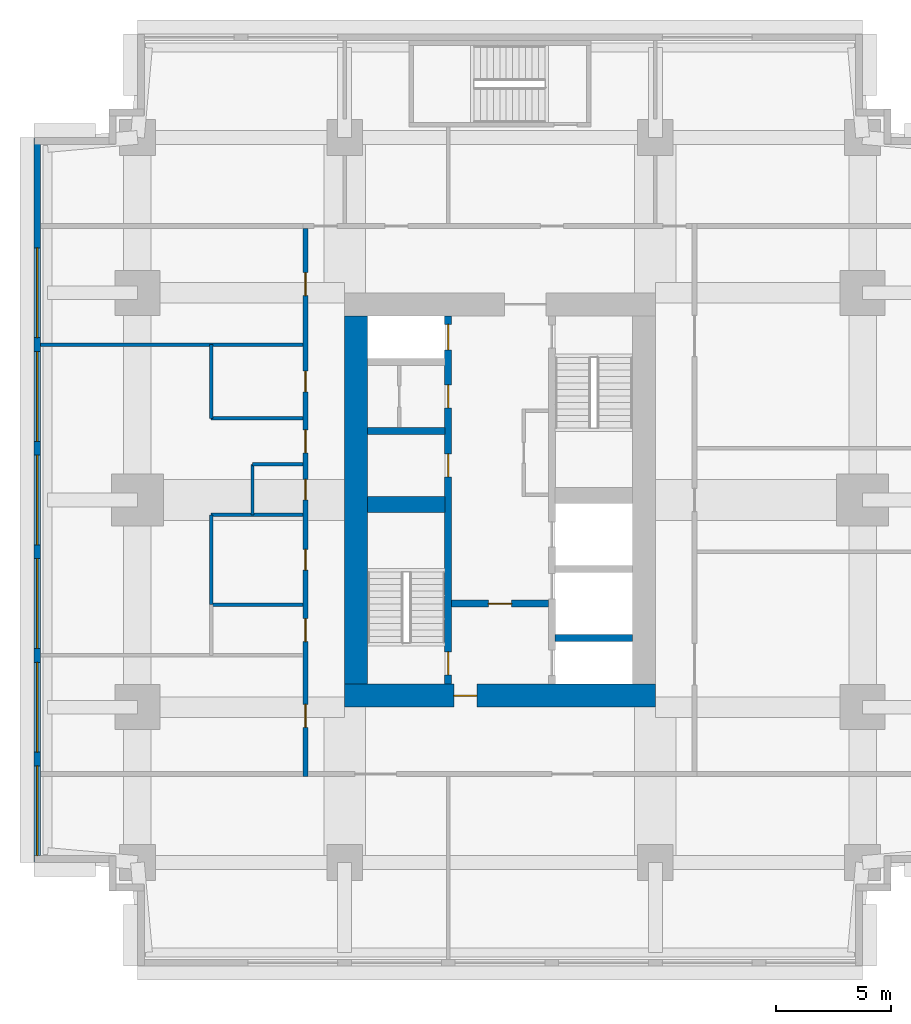
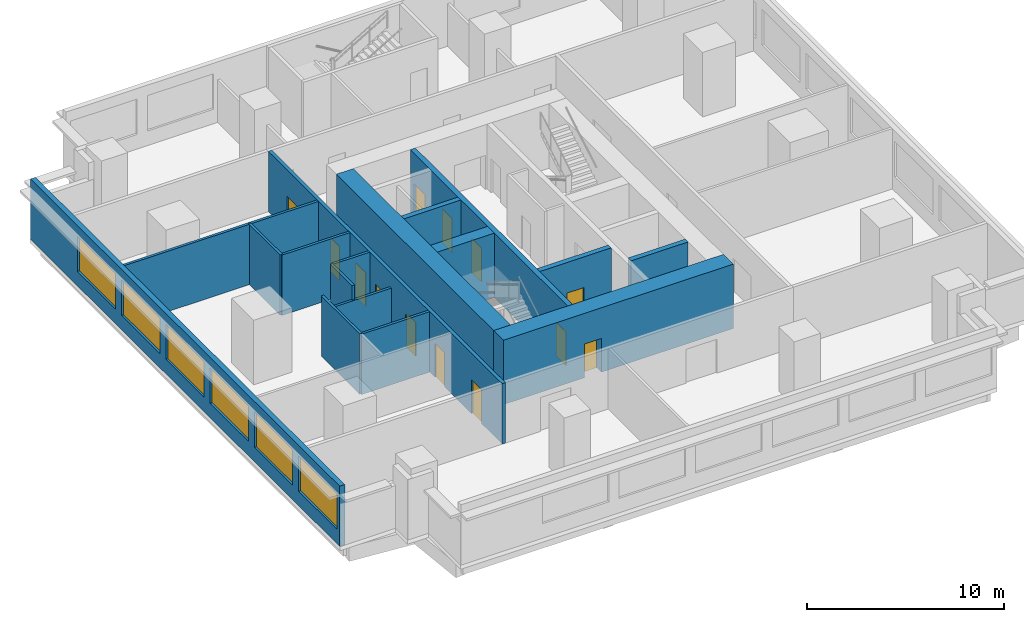
# One storey, part 3 of 11: 17 walls, 13 doors, 6 windows, 19 openings.
"""IFC4 building model written with IfcOpenShell, lengths in metres."""

from ifc_helpers import new_model, si_unit, direction, frame, frame_2d, origin, place, context, subcontext, project, spatial, rectangle, extrude, material, layer, layer_set, type_object, element, fill, save


model = new_model("IFC4")

# Units and contexts
model_context = context("Model", 3, precision=1e-05, world=origin(), true_north=direction((0.0, 1.0)))
body_context = subcontext(model_context, "Body", "Model", "MODEL_VIEW")
ifc_project = project(units=[si_unit("LENGTHUNIT", "METRE"), si_unit("AREAUNIT", "SQUARE_METRE"), si_unit("VOLUMEUNIT", "CUBIC_METRE"), si_unit("PLANEANGLEUNIT", "RADIAN"), si_unit("MASSUNIT", "GRAM", prefix="KILO")], contexts=[model_context])

# Site, building, storey
site_placement = place(None, origin())
site = spatial("IfcSite", under=ifc_project, at=site_placement, CompositionType="ELEMENT")
building_placement = place(site_placement, origin())
building = spatial("IfcBuilding", under=site, at=building_placement, Name="Namib Vertical Campus", CompositionType="ELEMENT")
storey_placement = place(building_placement, frame((0.0, 0.0, 225.0)))
storey = spatial("IfcBuildingStorey", under=building, at=storey_placement, Name="L53", CompositionType="ELEMENT", Elevation=225.0)

# Wall, openings, doors
ifc_material_1 = material(Name="Concrete C60/75", Category="concrete")
ifc_layer_1 = layer(ifc_material_1, 0.300048828125)
ifc_layer_set_1 = layer_set([ifc_layer_1], Name="Concrete C60/75")
wall_type_1 = type_object("IfcWallType", Name="Core inner wall 300", PredefinedType="SHEAR", material=ifc_layer_set_1)
wall_1_placement = place(storey_placement, frame((18.0, 12.25, 0.0), z_axis=(0.0, 0.0, 1.0), x_axis=(0.0, 1.0, 0.0)))
wall_1 = element("IfcWall", 1, at=wall_1_placement, inside=storey, type_object=wall_type_1, Name="Core inner wall A L53 W1", PredefinedType="SHEAR", context=body_context, shape_type="SweptSolid", body=[
    extrude(rectangle(XDim=16.0, YDim=0.300048828125, at=frame_2d((8.0, 0.0))), origin(), (0.0, 0.0, 1.0), 4.0),
])
opening_1_placement = place(wall_1_placement, frame((0.39990234375, 0.0, 0.0)))
opening_1 = element("IfcOpeningElement", 2, at=opening_1_placement, cuts=wall_1, Name="Opening FD1", PredefinedType="OPENING", context=body_context, shape_type="SweptSolid", body=[
    extrude(rectangle(XDim=1.0, YDim=2.10009765625, at=frame_2d((0.5, 1.050048828125))), frame((0.0, 0.159912109375, 0.0), z_axis=(0.0, -1.0, 0.0), x_axis=(1.0, 0.0, 0.0)), (0.0, 0.0, 1.0), 0.320068359375),
])
opening_2_placement = place(wall_1_placement, frame((14.52490234375, 0.0, 0.0)))
opening_2 = element("IfcOpeningElement", 3, at=opening_2_placement, cuts=wall_1, Name="Opening LD1", PredefinedType="OPENING", context=body_context, shape_type="SweptSolid", body=[
    extrude(rectangle(XDim=1.10009765625, YDim=2.10009765625, at=frame_2d((0.550048828125, 1.050048828125))), frame((0.0, 0.159912109375, 0.0), z_axis=(0.0, -1.0, 0.0), x_axis=(1.0, 0.0, 0.0)), (0.0, 0.0, 1.0), 0.320068359375),
])
opening_3_placement = place(wall_1_placement, frame((9.0, 0.0, 0.0)))
opening_3 = element("IfcOpeningElement", 4, at=opening_3_placement, cuts=wall_1, Name="Opening D1", PredefinedType="OPENING", context=body_context, shape_type="SweptSolid", body=[
    extrude(rectangle(XDim=1.0, YDim=2.10009765625, at=frame_2d((0.5, 1.050048828125))), frame((0.0, 0.159912109375, 0.0), z_axis=(0.0, -1.0, 0.0), x_axis=(1.0, 0.0, 0.0)), (0.0, 0.0, 1.0), 0.320068359375),
])
opening_4_placement = place(wall_1_placement, frame((12.0, 0.0, 0.0)))
opening_4 = element("IfcOpeningElement", 5, at=opening_4_placement, cuts=wall_1, Name="Opening D1", PredefinedType="OPENING", context=body_context, shape_type="SweptSolid", body=[
    extrude(rectangle(XDim=1.0, YDim=2.10009765625, at=frame_2d((0.5, 1.050048828125))), frame((0.0, 0.159912109375, 0.0), z_axis=(0.0, -1.0, 0.0), x_axis=(1.0, 0.0, 0.0)), (0.0, 0.0, 1.0), 0.320068359375),
])
ifc_material_2 = material(Name="Timber door leaf", Category="wood")
door_type_1 = type_object("IfcDoorType", Name="Door single 1000x2100", OperationType="SINGLE_SWING_LEFT", PredefinedType="DOOR", material=ifc_material_2)
door_1_placement = place(opening_3_placement, origin())
door_1 = element("IfcDoor", 6, at=door_1_placement, inside=storey, type_object=door_type_1, Name="Door D1 Comms room A L53 P1", OperationType="SINGLE_SWING_LEFT", OverallHeight=2.10009765625, OverallWidth=1.0, PredefinedType="DOOR", context=body_context, shape_type="SweptSolid", body=[
    extrude(rectangle(XDim=1.0, YDim=2.10009765625, at=frame_2d((0.5, 1.050048828125))), frame((0.0, 0.02490234375, 0.0), z_axis=(0.0, -1.0, 0.0), x_axis=(1.0, 0.0, 0.0)), (0.0, 0.0, 1.0), 0.050048828125),
])
fill(opening_3, door_1)
door_2_placement = place(opening_4_placement, origin())
door_2 = element("IfcDoor", 7, at=door_2_placement, inside=storey, type_object=door_type_1, Name="Door D1 Store A L53 P2", OperationType="SINGLE_SWING_LEFT", OverallHeight=2.10009765625, OverallWidth=1.0, PredefinedType="DOOR", context=body_context, shape_type="SweptSolid", body=[
    extrude(rectangle(XDim=1.0, YDim=2.10009765625, at=frame_2d((0.5, 1.050048828125))), frame((0.0, 0.02490234375, 0.0), z_axis=(0.0, -1.0, 0.0), x_axis=(1.0, 0.0, 0.0)), (0.0, 0.0, 1.0), 0.050048828125),
])
fill(opening_4, door_2)
ifc_material_3 = material(Name="Steel fire door", Category="steel")
door_type_2 = type_object("IfcDoorType", Name="Fire door 1000x2100", OperationType="SINGLE_SWING_RIGHT", PredefinedType="DOOR", material=ifc_material_3)
door_3_placement = place(opening_1_placement, origin())
door_3 = element("IfcDoor", 8, at=door_3_placement, inside=storey, type_object=door_type_2, Name="Stair door FD1 A L53 S1", OperationType="SINGLE_SWING_LEFT", OverallHeight=2.10009765625, OverallWidth=1.0, PredefinedType="DOOR", context=body_context, shape_type="SweptSolid", body=[
    extrude(rectangle(XDim=1.0, YDim=2.10009765625, at=frame_2d((0.5, 1.050048828125))), frame((0.0, 0.02490234375, 0.0), z_axis=(0.0, -1.0, 0.0), x_axis=(1.0, 0.0, 0.0)), (0.0, 0.0, 1.0), 0.050048828125),
])
fill(opening_1, door_3)
ifc_material_4 = material(Name="Stainless steel lift door", Category="steel")
door_type_3 = type_object("IfcDoorType", Name="Lift landing door 1100x2100", OperationType="DOUBLE_DOOR_SLIDING", PredefinedType="DOOR", material=ifc_material_4)
door_4_placement = place(opening_2_placement, origin())
door_4 = element("IfcDoor", 9, at=door_4_placement, inside=storey, type_object=door_type_3, Name="Lift landing door LD1 A-P3 L53", OperationType="DOUBLE_DOOR_SLIDING", OverallHeight=2.10009765625, OverallWidth=1.10009765625, PredefinedType="DOOR", context=body_context, shape_type="SweptSolid", body=[
    extrude(rectangle(XDim=1.10009765625, YDim=2.10009765625, at=frame_2d((0.550048828125, 1.050048828125))), frame((0.0, 0.02490234375, 0.0), z_axis=(0.0, -1.0, 0.0), x_axis=(1.0, 0.0, 0.0)), (0.0, 0.0, 1.0), 0.050048828125),
])
fill(opening_2, door_4)

# Wall, opening, door
wall_2_placement = place(storey_placement, frame((18.14990234375, 15.75, 0.0), z_axis=(0.0, 0.0, 1.0), x_axis=(1.0, 0.0, 0.0)))
wall_2 = element("IfcWall", 10, at=wall_2_placement, inside=storey, type_object=wall_type_1, Name="Core inner wall A L53 W4", PredefinedType="SHEAR", context=body_context, shape_type="SweptSolid", body=[
    extrude(rectangle(XDim=4.2001953125, YDim=0.300048828125, at=frame_2d((2.10009765625, 0.0))), origin(), (0.0, 0.0, 1.0), 4.0),
])
opening_5_placement = place(wall_2_placement, frame((1.60009765625, 0.0, 0.0)))
opening_5 = element("IfcOpeningElement", 11, at=opening_5_placement, cuts=wall_2, Name="Opening FD5", PredefinedType="OPENING", context=body_context, shape_type="SweptSolid", body=[
    extrude(rectangle(XDim=1.0, YDim=2.10009765625, at=frame_2d((0.5, 1.050048828125))), frame((0.0, 0.159912109375, 0.0), z_axis=(0.0, -1.0, 0.0), x_axis=(1.0, 0.0, 0.0)), (0.0, 0.0, 1.0), 0.320068359375),
])
ifc_material_5 = material(Name="Steel fire door", Category="steel")
door_type_4 = type_object("IfcDoorType", Name="Fire door 1000x2100 120 min", OperationType="SINGLE_SWING_RIGHT", PredefinedType="DOOR", material=ifc_material_5)
door_5_placement = place(opening_5_placement, frame((1.0, 0.0, 0.0), z_axis=(0.0, 0.0, 1.0), x_axis=(-1.0, 0.0, 0.0)))
door_5 = element("IfcDoor", 12, at=door_5_placement, inside=storey, type_object=door_type_4, Name="Lobby door FD5 A L53", OperationType="SINGLE_SWING_RIGHT", OverallHeight=2.10009765625, OverallWidth=1.0, PredefinedType="DOOR", context=body_context, shape_type="SweptSolid", body=[
    extrude(rectangle(XDim=1.0, YDim=2.10009765625, at=frame_2d((0.5, 1.050048828125))), frame((0.0, 0.02490234375, 0.0), z_axis=(0.0, -1.0, 0.0), x_axis=(1.0, 0.0, 0.0)), (0.0, 0.0, 1.0), 0.050048828125),
])
fill(opening_5, door_5)

# Walls
for number, where, z_axis, x_axis, name in (
    (13, (22.64990234375, 14.25, 0.0), (0.0, 0.0, 1.0), (1.0, 0.0, 0.0), "Core inner wall A L53 W5"),
    (14, (14.5, 23.25, 0.0), (0.0, 0.0, 1.0), (1.0, 0.0, 0.0), "Core inner wall A L53 W8"),
):
    element("IfcWall", number, at=place(storey_placement, frame(where, z_axis=z_axis, x_axis=x_axis)), inside=storey, type_object=wall_type_1, Name=name, PredefinedType="SHEAR", context=body_context, shape_type="SweptSolid", body=[
        extrude(rectangle(XDim=3.35009765625, YDim=0.300048828125, at=frame_2d((1.675048828125, 0.0))), origin(), (0.0, 0.0, 1.0), 4.0),
    ])
ifc_material_6 = material(Name="Concrete C60/75", Category="concrete")
ifc_layer_2 = layer(ifc_material_6, 0.699951171875)
ifc_layer_set_2 = layer_set([ifc_layer_2], Name="Concrete C60/75")
wall_type_2 = type_object("IfcWallType", Name="Core shear wall 700", PredefinedType="SHEAR", material=ifc_layer_set_2)
wall_3_placement = place(storey_placement, frame((14.5, 20.050048828125, 0.0), z_axis=(0.0, 0.0, 1.0), x_axis=(1.0, 0.0, 0.0)))
element("IfcWall", 15, at=wall_3_placement, inside=storey, type_object=wall_type_2, Name="Core shear wall A L53 W3", PredefinedType="SHEAR", context=body_context, shape_type="SweptSolid", body=[
    extrude(rectangle(XDim=3.35009765625, YDim=0.699951171875, at=frame_2d((1.675048828125, 0.0))), origin(), (0.0, 0.0, 1.0), 4.0),
])

# Wall, opening, door
ifc_material_7 = material(Name="Concrete C60/75", Category="concrete")
ifc_layer_3 = layer(ifc_material_7, 1.0)
ifc_layer_set_3 = layer_set([ifc_layer_3], Name="Concrete C60/75")
wall_type_3 = type_object("IfcWallType", Name="Core wall 1000", PredefinedType="SHEAR", material=ifc_layer_set_3)
wall_4_placement = place(storey_placement, frame((13.5, 11.75, 0.0), z_axis=(0.0, 0.0, 1.0), x_axis=(1.0, 0.0, 0.0)))
wall_4 = element("IfcWall", 16, at=wall_4_placement, inside=storey, type_object=wall_type_3, Name="Core wall A L53 1", PredefinedType="SHEAR", context=body_context, shape_type="SweptSolid", body=[
    extrude(rectangle(XDim=13.5, YDim=1.0, at=frame_2d((6.75, 0.0))), origin(), (0.0, 0.0, 1.0), 4.0),
])
opening_6_placement = place(wall_4_placement, frame((4.75, 0.0, 0.0)))
opening_6 = element("IfcOpeningElement", 17, at=opening_6_placement, cuts=wall_4, Name="Opening FD5", PredefinedType="OPENING", context=body_context, shape_type="SweptSolid", body=[
    extrude(rectangle(XDim=1.0, YDim=2.10009765625, at=frame_2d((0.5, 1.050048828125))), frame((0.0, 0.510009765625, 0.0), z_axis=(0.0, -1.0, 0.0), x_axis=(1.0, 0.0, 0.0)), (0.0, 0.0, 1.0), 1.02001953125),
])
door_6_placement = place(opening_6_placement, origin())
door_6 = element("IfcDoor", 18, at=door_6_placement, inside=storey, type_object=door_type_4, Name="Firefighting lobby door FD5 A L53", OperationType="SINGLE_SWING_LEFT", OverallHeight=2.10009765625, OverallWidth=1.0, PredefinedType="DOOR", context=body_context, shape_type="SweptSolid", body=[
    extrude(rectangle(XDim=1.0, YDim=2.10009765625, at=frame_2d((0.5, 1.050048828125))), frame((0.0, 0.02490234375, 0.0), z_axis=(0.0, -1.0, 0.0), x_axis=(1.0, 0.0, 0.0)), (0.0, 0.0, 1.0), 0.050048828125),
])
fill(opening_6, door_6)

# Wall
wall_5_placement = place(storey_placement, frame((14.0, 28.25, 0.0), z_axis=(0.0, 0.0, 1.0), x_axis=(0.0, -1.0, 0.0)))
element("IfcWall", 19, at=wall_5_placement, inside=storey, type_object=wall_type_3, Name="Core wall A L53 4", PredefinedType="SHEAR", context=body_context, shape_type="SweptSolid", body=[
    extrude(rectangle(XDim=16.0, YDim=1.0, at=frame_2d((8.0, 0.0))), origin(), (0.0, 0.0, 1.0), 4.0),
])

# Wall, openings, doors
ifc_material_8 = material(Name="Concrete masonry", Category="masonry")
ifc_layer_4 = layer(ifc_material_8, 0.199951171875)
ifc_layer_set_4 = layer_set([ifc_layer_4], Name="Corridor wall 200")
wall_type_4 = type_object("IfcWallType", Name="Corridor wall 200", PredefinedType="SOLIDWALL", material=ifc_layer_set_4)
wall_6_placement = place(storey_placement, frame((11.800048828125, 32.050048828125, 0.0), z_axis=(0.0, 0.0, 1.0), x_axis=(0.0, -1.0, 0.0)))
wall_6 = element("IfcWall", 20, at=wall_6_placement, inside=storey, type_object=wall_type_4, Name="Corridor wall A L53 CW", PredefinedType="SOLIDWALL", context=body_context, shape_type="SweptSolid", body=[
    extrude(rectangle(XDim=23.800048828125, YDim=0.199951171875, at=frame_2d((11.89990234375, 0.0))), origin(), (0.0, 0.0, 1.0), 3.75),
])
opening_7_placement = place(wall_6_placement, frame((20.675048828125, 0.0, 0.0)))
opening_7 = element("IfcOpeningElement", 21, at=opening_7_placement, cuts=wall_6, Name="Opening CD1", PredefinedType="OPENING", context=body_context, shape_type="SweptSolid", body=[
    extrude(rectangle(XDim=1.0, YDim=2.10009765625, at=frame_2d((0.5, 1.050048828125))), frame((0.0, 0.10986328125, 0.0), z_axis=(0.0, -1.0, 0.0), x_axis=(1.0, 0.0, 0.0)), (0.0, 0.0, 1.0), 0.219970703125),
])
opening_8_placement = place(wall_6_placement, frame((16.949951171875, 0.0, 0.0)))
opening_8 = element("IfcOpeningElement", 22, at=opening_8_placement, cuts=wall_6, Name="Opening CD1", PredefinedType="OPENING", context=body_context, shape_type="SweptSolid", body=[
    extrude(rectangle(XDim=1.0, YDim=2.10009765625, at=frame_2d((0.5, 1.050048828125))), frame((0.0, 0.10986328125, 0.0), z_axis=(0.0, -1.0, 0.0), x_axis=(1.0, 0.0, 0.0)), (0.0, 0.0, 1.0), 0.219970703125),
])
opening_9_placement = place(wall_6_placement, frame((13.949951171875, 0.0, 0.0)))
opening_9 = element("IfcOpeningElement", 23, at=opening_9_placement, cuts=wall_6, Name="Opening CD3", PredefinedType="OPENING", context=body_context, shape_type="SweptSolid", body=[
    extrude(rectangle(XDim=0.89990234375, YDim=2.10009765625, at=frame_2d((0.449951171875, 1.050048828125))), frame((0.0, 0.10986328125, 0.0), z_axis=(0.0, -1.0, 0.0), x_axis=(1.0, 0.0, 0.0)), (0.0, 0.0, 1.0), 0.219970703125),
])
opening_10_placement = place(wall_6_placement, frame((10.89990234375, 0.0, 0.0)))
opening_10 = element("IfcOpeningElement", 24, at=opening_10_placement, cuts=wall_6, Name="Opening CD3", PredefinedType="OPENING", context=body_context, shape_type="SweptSolid", body=[
    extrude(rectangle(XDim=0.89990234375, YDim=2.10009765625, at=frame_2d((0.449951171875, 1.050048828125))), frame((0.0, 0.10986328125, 0.0), z_axis=(0.0, -1.0, 0.0), x_axis=(1.0, 0.0, 0.0)), (0.0, 0.0, 1.0), 0.219970703125),
])
opening_11_placement = place(wall_6_placement, frame((6.199951171875, 0.0, 0.0)))
opening_11 = element("IfcOpeningElement", 25, at=opening_11_placement, cuts=wall_6, Name="Opening CD3", PredefinedType="OPENING", context=body_context, shape_type="SweptSolid", body=[
    extrude(rectangle(XDim=0.89990234375, YDim=2.10009765625, at=frame_2d((0.449951171875, 1.050048828125))), frame((0.0, 0.10986328125, 0.0), z_axis=(0.0, -1.0, 0.0), x_axis=(1.0, 0.0, 0.0)), (0.0, 0.0, 1.0), 0.219970703125),
])
opening_12_placement = place(wall_6_placement, frame((8.75, 0.0, 0.0)))
opening_12 = element("IfcOpeningElement", 26, at=opening_12_placement, cuts=wall_6, Name="Opening CD1", PredefinedType="OPENING", context=body_context, shape_type="SweptSolid", body=[
    extrude(rectangle(XDim=1.0, YDim=2.10009765625, at=frame_2d((0.5, 1.050048828125))), frame((0.0, 0.10986328125, 0.0), z_axis=(0.0, -1.0, 0.0), x_axis=(1.0, 0.0, 0.0)), (0.0, 0.0, 1.0), 0.219970703125),
])
opening_13_placement = place(wall_6_placement, frame((1.925048828125, 0.0, 0.0)))
opening_13 = element("IfcOpeningElement", 27, at=opening_13_placement, cuts=wall_6, Name="Opening CD1", PredefinedType="OPENING", context=body_context, shape_type="SweptSolid", body=[
    extrude(rectangle(XDim=1.0, YDim=2.10009765625, at=frame_2d((0.5, 1.050048828125))), frame((0.0, 0.10986328125, 0.0), z_axis=(0.0, -1.0, 0.0), x_axis=(1.0, 0.0, 0.0)), (0.0, 0.0, 1.0), 0.219970703125),
])
ifc_material_9 = material(Name="Timber fire door leaf", Category="wood")
door_type_5 = type_object("IfcDoorType", Name="Corridor door 1000x2100 20 min", OperationType="SINGLE_SWING_LEFT", PredefinedType="DOOR", material=ifc_material_9)
door_7_placement = place(opening_7_placement, frame((1.0, 0.0, 0.0), z_axis=(0.0, 0.0, 1.0), x_axis=(-1.0, 0.0, 0.0)))
door_7 = element("IfcDoor", 28, at=door_7_placement, inside=storey, type_object=door_type_5, Name="Door CD1 A53-10", OperationType="SINGLE_SWING_RIGHT", OverallHeight=2.10009765625, OverallWidth=1.0, PredefinedType="DOOR", context=body_context, shape_type="SweptSolid", body=[
    extrude(rectangle(XDim=1.0, YDim=2.10009765625, at=frame_2d((0.5, 1.050048828125))), frame((0.0, 0.02490234375, 0.0), z_axis=(0.0, -1.0, 0.0), x_axis=(1.0, 0.0, 0.0)), (0.0, 0.0, 1.0), 0.050048828125),
])
fill(opening_7, door_7)
door_8_placement = place(opening_8_placement, frame((1.0, 0.0, 0.0), z_axis=(0.0, 0.0, 1.0), x_axis=(-1.0, 0.0, 0.0)))
door_8 = element("IfcDoor", 29, at=door_8_placement, inside=storey, type_object=door_type_5, Name="Door CD1 A53-11", OperationType="SINGLE_SWING_RIGHT", OverallHeight=2.10009765625, OverallWidth=1.0, PredefinedType="DOOR", context=body_context, shape_type="SweptSolid", body=[
    extrude(rectangle(XDim=1.0, YDim=2.10009765625, at=frame_2d((0.5, 1.050048828125))), frame((0.0, 0.02490234375, 0.0), z_axis=(0.0, -1.0, 0.0), x_axis=(1.0, 0.0, 0.0)), (0.0, 0.0, 1.0), 0.050048828125),
])
fill(opening_8, door_8)
door_9_placement = place(opening_12_placement, frame((1.0, 0.0, 0.0), z_axis=(0.0, 0.0, 1.0), x_axis=(-1.0, 0.0, 0.0)))
door_9 = element("IfcDoor", 30, at=door_9_placement, inside=storey, type_object=door_type_5, Name="Door CD1 A53-15", OperationType="SINGLE_SWING_RIGHT", OverallHeight=2.10009765625, OverallWidth=1.0, PredefinedType="DOOR", context=body_context, shape_type="SweptSolid", body=[
    extrude(rectangle(XDim=1.0, YDim=2.10009765625, at=frame_2d((0.5, 1.050048828125))), frame((0.0, 0.02490234375, 0.0), z_axis=(0.0, -1.0, 0.0), x_axis=(1.0, 0.0, 0.0)), (0.0, 0.0, 1.0), 0.050048828125),
])
fill(opening_12, door_9)
door_10_placement = place(opening_13_placement, frame((1.0, 0.0, 0.0), z_axis=(0.0, 0.0, 1.0), x_axis=(-1.0, 0.0, 0.0)))
door_10 = element("IfcDoor", 31, at=door_10_placement, inside=storey, type_object=door_type_5, Name="Door CD1 A53-16", OperationType="SINGLE_SWING_RIGHT", OverallHeight=2.10009765625, OverallWidth=1.0, PredefinedType="DOOR", context=body_context, shape_type="SweptSolid", body=[
    extrude(rectangle(XDim=1.0, YDim=2.10009765625, at=frame_2d((0.5, 1.050048828125))), frame((0.0, 0.02490234375, 0.0), z_axis=(0.0, -1.0, 0.0), x_axis=(1.0, 0.0, 0.0)), (0.0, 0.0, 1.0), 0.050048828125),
])
fill(opening_13, door_10)
ifc_material_10 = material(Name="Timber fire door leaf", Category="wood")
door_type_6 = type_object("IfcDoorType", Name="Corridor toilet door 900x2100 20 min", OperationType="SINGLE_SWING_LEFT", PredefinedType="DOOR", material=ifc_material_10)
door_11_placement = place(opening_9_placement, frame((0.89990234375, 0.0, 0.0), z_axis=(0.0, 0.0, 1.0), x_axis=(-1.0, 0.0, 0.0)))
door_11 = element("IfcDoor", 32, at=door_11_placement, inside=storey, type_object=door_type_6, Name="Door CD3 A53-12", OperationType="SINGLE_SWING_RIGHT", OverallHeight=2.10009765625, OverallWidth=0.89990234375, PredefinedType="DOOR", context=body_context, shape_type="SweptSolid", body=[
    extrude(rectangle(XDim=0.89990234375, YDim=2.10009765625, at=frame_2d((0.449951171875, 1.050048828125))), frame((0.0, 0.02490234375, 0.0), z_axis=(0.0, -1.0, 0.0), x_axis=(1.0, 0.0, 0.0)), (0.0, 0.0, 1.0), 0.050048828125),
])
fill(opening_9, door_11)
door_12_placement = place(opening_10_placement, frame((0.89990234375, 0.0, 0.0), z_axis=(0.0, 0.0, 1.0), x_axis=(-1.0, 0.0, 0.0)))
door_12 = element("IfcDoor", 33, at=door_12_placement, inside=storey, type_object=door_type_6, Name="Door CD3 A53-13", OperationType="SINGLE_SWING_RIGHT", OverallHeight=2.10009765625, OverallWidth=0.89990234375, PredefinedType="DOOR", context=body_context, shape_type="SweptSolid", body=[
    extrude(rectangle(XDim=0.89990234375, YDim=2.10009765625, at=frame_2d((0.449951171875, 1.050048828125))), frame((0.0, 0.02490234375, 0.0), z_axis=(0.0, -1.0, 0.0), x_axis=(1.0, 0.0, 0.0)), (0.0, 0.0, 1.0), 0.050048828125),
])
fill(opening_10, door_12)
door_13_placement = place(opening_11_placement, frame((0.89990234375, 0.0, 0.0), z_axis=(0.0, 0.0, 1.0), x_axis=(-1.0, 0.0, 0.0)))
door_13 = element("IfcDoor", 34, at=door_13_placement, inside=storey, type_object=door_type_6, Name="Door CD3 A53-14", OperationType="SINGLE_SWING_RIGHT", OverallHeight=2.10009765625, OverallWidth=0.89990234375, PredefinedType="DOOR", context=body_context, shape_type="SweptSolid", body=[
    extrude(rectangle(XDim=0.89990234375, YDim=2.10009765625, at=frame_2d((0.449951171875, 1.050048828125))), frame((0.0, 0.02490234375, 0.0), z_axis=(0.0, -1.0, 0.0), x_axis=(1.0, 0.0, 0.0)), (0.0, 0.0, 1.0), 0.050048828125),
])
fill(opening_11, door_13)

# Wall, openings, windows
ifc_material_11 = material(Name="Concrete C40/50", Category="concrete")
ifc_layer_5 = layer(ifc_material_11, 0.300048828125)
ifc_layer_set_5 = layer_set([ifc_layer_5], Name="Concrete C40/50")
wall_type_5 = type_object("IfcWallType", Name="External wall 300 board-marked concrete", PredefinedType="STANDARD", material=ifc_layer_set_5)
wall_7_placement = place(storey_placement, frame((0.14990234375, 35.97998046875, 0.0), z_axis=(0.0, 0.0, 1.0), x_axis=(0.0, -1.0, 0.0)))
wall_7 = element("IfcWall", 35, at=wall_7_placement, inside=storey, type_object=wall_type_5, Name="External wall L53 F16", PredefinedType="STANDARD", context=body_context, shape_type="SweptSolid", body=[
    extrude(rectangle(XDim=31.4599609375, YDim=0.300048828125, at=frame_2d((15.72998046875, 0.0))), origin(), (0.0, 0.0, 1.0), 3.75),
])
opening_14_placement = place(wall_7_placement, frame((27.280029296875, 0.0, 0.89990234375)))
opening_14 = element("IfcOpeningElement", 36, at=opening_14_placement, cuts=wall_7, Name="Opening W1", PredefinedType="OPENING", context=body_context, shape_type="SweptSolid", body=[
    extrude(rectangle(XDim=3.89990234375, YDim=2.199951171875, at=frame_2d((1.949951171875, 1.10009765625))), frame((0.0, 0.159912109375, 0.0), z_axis=(0.0, -1.0, 0.0), x_axis=(1.0, 0.0, 0.0)), (0.0, 0.0, 1.0), 0.320068359375),
])
opening_15_placement = place(wall_7_placement, frame((22.780029296875, 0.0, 0.89990234375)))
opening_15 = element("IfcOpeningElement", 37, at=opening_15_placement, cuts=wall_7, Name="Opening W1", PredefinedType="OPENING", context=body_context, shape_type="SweptSolid", body=[
    extrude(rectangle(XDim=3.89990234375, YDim=2.199951171875, at=frame_2d((1.949951171875, 1.10009765625))), frame((0.0, 0.159912109375, 0.0), z_axis=(0.0, -1.0, 0.0), x_axis=(1.0, 0.0, 0.0)), (0.0, 0.0, 1.0), 0.320068359375),
])
opening_16_placement = place(wall_7_placement, frame((18.280029296875, 0.0, 0.89990234375)))
opening_16 = element("IfcOpeningElement", 38, at=opening_16_placement, cuts=wall_7, Name="Opening W1", PredefinedType="OPENING", context=body_context, shape_type="SweptSolid", body=[
    extrude(rectangle(XDim=3.89990234375, YDim=2.199951171875, at=frame_2d((1.949951171875, 1.10009765625))), frame((0.0, 0.159912109375, 0.0), z_axis=(0.0, -1.0, 0.0), x_axis=(1.0, 0.0, 0.0)), (0.0, 0.0, 1.0), 0.320068359375),
])
opening_17_placement = place(wall_7_placement, frame((13.780029296875, 0.0, 0.89990234375)))
opening_17 = element("IfcOpeningElement", 39, at=opening_17_placement, cuts=wall_7, Name="Opening W1", PredefinedType="OPENING", context=body_context, shape_type="SweptSolid", body=[
    extrude(rectangle(XDim=3.89990234375, YDim=2.199951171875, at=frame_2d((1.949951171875, 1.10009765625))), frame((0.0, 0.159912109375, 0.0), z_axis=(0.0, -1.0, 0.0), x_axis=(1.0, 0.0, 0.0)), (0.0, 0.0, 1.0), 0.320068359375),
])
opening_18_placement = place(wall_7_placement, frame((9.280029296875, 0.0, 0.89990234375)))
opening_18 = element("IfcOpeningElement", 40, at=opening_18_placement, cuts=wall_7, Name="Opening W1", PredefinedType="OPENING", context=body_context, shape_type="SweptSolid", body=[
    extrude(rectangle(XDim=3.89990234375, YDim=2.199951171875, at=frame_2d((1.949951171875, 1.10009765625))), frame((0.0, 0.159912109375, 0.0), z_axis=(0.0, -1.0, 0.0), x_axis=(1.0, 0.0, 0.0)), (0.0, 0.0, 1.0), 0.320068359375),
])
opening_19_placement = place(wall_7_placement, frame((4.780029296875, 0.0, 0.89990234375)))
opening_19 = element("IfcOpeningElement", 41, at=opening_19_placement, cuts=wall_7, Name="Opening W1", PredefinedType="OPENING", context=body_context, shape_type="SweptSolid", body=[
    extrude(rectangle(XDim=3.89990234375, YDim=2.199951171875, at=frame_2d((1.949951171875, 1.10009765625))), frame((0.0, 0.159912109375, 0.0), z_axis=(0.0, -1.0, 0.0), x_axis=(1.0, 0.0, 0.0)), (0.0, 0.0, 1.0), 0.320068359375),
])
ifc_material_12 = material(Name="Dark tinted glass in black aluminium frame", Category="aluminium")
window_type = type_object("IfcWindowType", Name="Ribbon window 3900x2200", PartitioningType="SINGLE_PANEL", PredefinedType="WINDOW", material=ifc_material_12)
window_1_placement = place(opening_14_placement, origin())
window_1 = element("IfcWindow", 42, at=window_1_placement, inside=storey, type_object=window_type, Name="Window W1 L53 F16-1", OverallHeight=2.199951171875, OverallWidth=3.89990234375, PartitioningType="SINGLE_PANEL", PredefinedType="WINDOW", context=body_context, shape_type="SweptSolid", body=[
    extrude(rectangle(XDim=3.89990234375, YDim=2.199951171875, at=frame_2d((1.949951171875, 1.10009765625))), frame((0.0, 0.030029296875, 0.0), z_axis=(0.0, -1.0, 0.0), x_axis=(1.0, 0.0, 0.0)), (0.0, 0.0, 1.0), 0.06005859375),
])
fill(opening_14, window_1)
window_2_placement = place(opening_15_placement, origin())
window_2 = element("IfcWindow", 43, at=window_2_placement, inside=storey, type_object=window_type, Name="Window W1 L53 F16-2", OverallHeight=2.199951171875, OverallWidth=3.89990234375, PartitioningType="SINGLE_PANEL", PredefinedType="WINDOW", context=body_context, shape_type="SweptSolid", body=[
    extrude(rectangle(XDim=3.89990234375, YDim=2.199951171875, at=frame_2d((1.949951171875, 1.10009765625))), frame((0.0, 0.030029296875, 0.0), z_axis=(0.0, -1.0, 0.0), x_axis=(1.0, 0.0, 0.0)), (0.0, 0.0, 1.0), 0.06005859375),
])
fill(opening_15, window_2)
window_3_placement = place(opening_16_placement, origin())
window_3 = element("IfcWindow", 44, at=window_3_placement, inside=storey, type_object=window_type, Name="Window W1 L53 F16-3", OverallHeight=2.199951171875, OverallWidth=3.89990234375, PartitioningType="SINGLE_PANEL", PredefinedType="WINDOW", context=body_context, shape_type="SweptSolid", body=[
    extrude(rectangle(XDim=3.89990234375, YDim=2.199951171875, at=frame_2d((1.949951171875, 1.10009765625))), frame((0.0, 0.030029296875, 0.0), z_axis=(0.0, -1.0, 0.0), x_axis=(1.0, 0.0, 0.0)), (0.0, 0.0, 1.0), 0.06005859375),
])
fill(opening_16, window_3)
window_4_placement = place(opening_17_placement, origin())
window_4 = element("IfcWindow", 45, at=window_4_placement, inside=storey, type_object=window_type, Name="Window W1 L53 F16-4", OverallHeight=2.199951171875, OverallWidth=3.89990234375, PartitioningType="SINGLE_PANEL", PredefinedType="WINDOW", context=body_context, shape_type="SweptSolid", body=[
    extrude(rectangle(XDim=3.89990234375, YDim=2.199951171875, at=frame_2d((1.949951171875, 1.10009765625))), frame((0.0, 0.030029296875, 0.0), z_axis=(0.0, -1.0, 0.0), x_axis=(1.0, 0.0, 0.0)), (0.0, 0.0, 1.0), 0.06005859375),
])
fill(opening_17, window_4)
window_5_placement = place(opening_18_placement, origin())
window_5 = element("IfcWindow", 46, at=window_5_placement, inside=storey, type_object=window_type, Name="Window W1 L53 F16-5", OverallHeight=2.199951171875, OverallWidth=3.89990234375, PartitioningType="SINGLE_PANEL", PredefinedType="WINDOW", context=body_context, shape_type="SweptSolid", body=[
    extrude(rectangle(XDim=3.89990234375, YDim=2.199951171875, at=frame_2d((1.949951171875, 1.10009765625))), frame((0.0, 0.030029296875, 0.0), z_axis=(0.0, -1.0, 0.0), x_axis=(1.0, 0.0, 0.0)), (0.0, 0.0, 1.0), 0.06005859375),
])
fill(opening_18, window_5)
window_6_placement = place(opening_19_placement, origin())
window_6 = element("IfcWindow", 47, at=window_6_placement, inside=storey, type_object=window_type, Name="Window W1 L53 F16-6", OverallHeight=2.199951171875, OverallWidth=3.89990234375, PartitioningType="SINGLE_PANEL", PredefinedType="WINDOW", context=body_context, shape_type="SweptSolid", body=[
    extrude(rectangle(XDim=3.89990234375, YDim=2.199951171875, at=frame_2d((1.949951171875, 1.10009765625))), frame((0.0, 0.030029296875, 0.0), z_axis=(0.0, -1.0, 0.0), x_axis=(1.0, 0.0, 0.0)), (0.0, 0.0, 1.0), 0.06005859375),
])
fill(opening_19, window_6)

# Walls
ifc_material_13 = material(Name="Gypsum board on steel studs", Category="steel")
ifc_layer_6 = layer(ifc_material_13, 0.14990234375)
ifc_layer_set_6 = layer_set([ifc_layer_6], Name="Gypsum board on steel studs")
wall_type_6 = type_object("IfcWallType", Name="Partition 150", PredefinedType="PARTITIONING", material=ifc_layer_set_6)
wall_8_placement = place(storey_placement, frame((0.300048828125, 27.0, 0.0), z_axis=(0.0, 0.0, 1.0), x_axis=(1.0, 0.0, 0.0)))
element("IfcWall", 48, at=wall_8_placement, inside=storey, type_object=wall_type_6, Name="Partition A L53 PW2", PredefinedType="PARTITIONING", context=body_context, shape_type="SweptSolid", body=[
    extrude(rectangle(XDim=11.39990234375, YDim=0.14990234375, at=frame_2d((5.699951171875, 0.0))), origin(), (0.0, 0.0, 1.0), 3.75),
])
wall_9_placement = place(storey_placement, frame((11.699951171875, 15.699951171875, 0.0), z_axis=(0.0, 0.0, 1.0), x_axis=(-1.0, 0.0, 0.0)))
element("IfcWall", 49, at=wall_9_placement, inside=storey, type_object=wall_type_6, Name="Partition A L53 WR1", PredefinedType="PARTITIONING", context=body_context, shape_type="SweptSolid", body=[
    extrude(rectangle(XDim=4.0, YDim=0.14990234375, at=frame_2d((2.0, 0.0))), origin(), (0.0, 0.0, 1.0), 3.75),
])
wall_10_placement = place(storey_placement, frame((11.699951171875, 19.60009765625, 0.0), z_axis=(0.0, 0.0, 1.0), x_axis=(-1.0, 0.0, 0.0)))
element("IfcWall", 50, at=wall_10_placement, inside=storey, type_object=wall_type_6, Name="Partition A L53 WR2", PredefinedType="PARTITIONING", context=body_context, shape_type="SweptSolid", body=[
    extrude(rectangle(XDim=4.0, YDim=0.14990234375, at=frame_2d((2.0, 0.0))), origin(), (0.0, 0.0, 1.0), 2.85009765625),
])
wall_11_placement = place(storey_placement, frame((11.699951171875, 21.800048828125, 0.0), z_axis=(0.0, 0.0, 1.0), x_axis=(-1.0, 0.0, 0.0)))
element("IfcWall", 51, at=wall_11_placement, inside=storey, type_object=wall_type_6, Name="Partition A L53 WR3", PredefinedType="PARTITIONING", context=body_context, shape_type="SweptSolid", body=[
    extrude(rectangle(XDim=2.199951171875, YDim=0.14990234375, at=frame_2d((1.10009765625, 0.0))), origin(), (0.0, 0.0, 1.0), 3.75),
])
wall_12_placement = place(storey_placement, frame((11.699951171875, 23.800048828125, 0.0), z_axis=(0.0, 0.0, 1.0), x_axis=(-1.0, 0.0, 0.0)))
element("IfcWall", 52, at=wall_12_placement, inside=storey, type_object=wall_type_6, Name="Partition A L53 WR4", PredefinedType="PARTITIONING", context=body_context, shape_type="SweptSolid", body=[
    extrude(rectangle(XDim=4.0, YDim=0.14990234375, at=frame_2d((2.0, 0.0))), origin(), (0.0, 0.0, 1.0), 3.75),
])
wall_13_placement = place(storey_placement, frame((7.699951171875, 15.699951171875, 0.0), z_axis=(0.0, 0.0, 1.0), x_axis=(0.0, 1.0, 0.0)))
element("IfcWall", 53, at=wall_13_placement, inside=storey, type_object=wall_type_6, Name="Partition A L53 WB2", PredefinedType="PARTITIONING", context=body_context, shape_type="SweptSolid", body=[
    extrude(rectangle(XDim=3.900146484375, YDim=0.14990234375, at=frame_2d((1.9501953125, 0.0))), origin(), (0.0, 0.0, 1.0), 3.75),
])
wall_14_placement = place(storey_placement, frame((9.5, 19.60009765625, 0.0), z_axis=(0.0, 0.0, 1.0), x_axis=(0.0, 1.0, 0.0)))
element("IfcWall", 54, at=wall_14_placement, inside=storey, type_object=wall_type_6, Name="Partition A L53 WB3", PredefinedType="PARTITIONING", context=body_context, shape_type="SweptSolid", body=[
    extrude(rectangle(XDim=2.199951171875, YDim=0.14990234375, at=frame_2d((1.10009765625, 0.0))), origin(), (0.0, 0.0, 1.0), 3.75),
])
wall_15_placement = place(storey_placement, frame((7.699951171875, 23.800048828125, 0.0), z_axis=(0.0, 0.0, 1.0), x_axis=(0.0, 1.0, 0.0)))
element("IfcWall", 55, at=wall_15_placement, inside=storey, type_object=wall_type_6, Name="Partition A L53 WB4", PredefinedType="PARTITIONING", context=body_context, shape_type="SweptSolid", body=[
    extrude(rectangle(XDim=3.199951171875, YDim=0.14990234375, at=frame_2d((1.60009765625, 0.0))), origin(), (0.0, 0.0, 1.0), 3.75),
])

save(model, "model.ifc")
